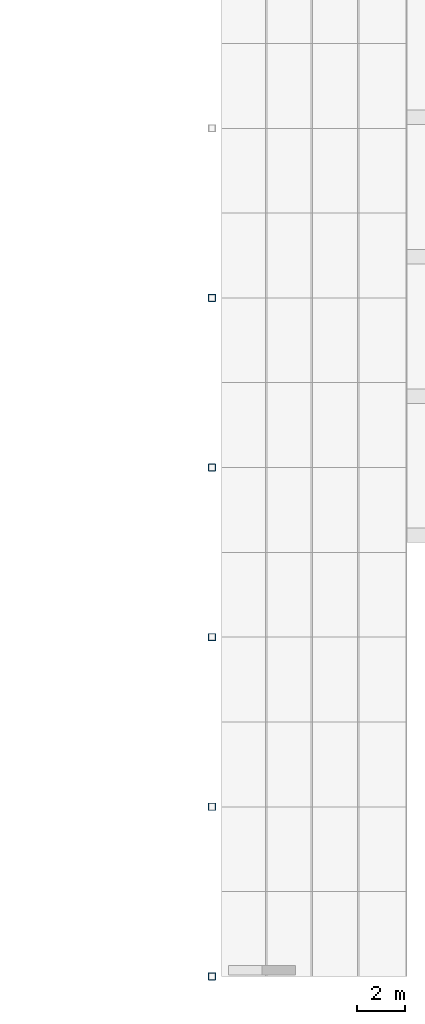
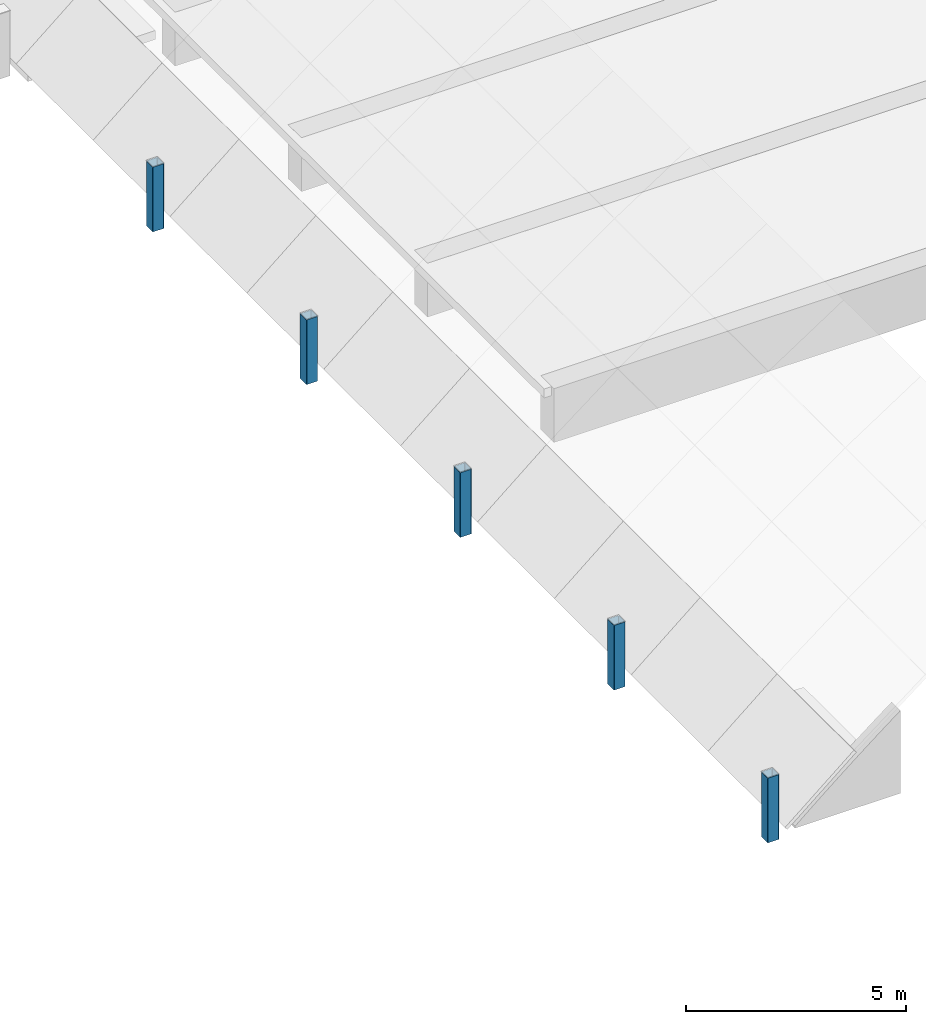
# One storey, part 5 of 89: 5 columns.
"""IFC4 building model written with IfcOpenShell, lengths in metres."""

from ifc_helpers import new_model, si_unit, direction, frame, origin, origin_2d, place, context, subcontext, project, spatial, hollow_rectangle, extrude, material, material_profile, profile_set, type_object, element, save


model = new_model("IFC4")

# Units and contexts
model_context = context("Model", 3, precision=1e-05, world=origin(), true_north=direction((0.0, 1.0)))
body_context = subcontext(model_context, "Body", "Model", "MODEL_VIEW")
ifc_project = project(units=[si_unit("LENGTHUNIT", "METRE"), si_unit("AREAUNIT", "SQUARE_METRE"), si_unit("VOLUMEUNIT", "CUBIC_METRE"), si_unit("PLANEANGLEUNIT", "RADIAN"), si_unit("MASSUNIT", "GRAM", prefix="KILO")], contexts=[model_context])

# Site, building, storey
site_placement = place(None, origin())
site = spatial("IfcSite", under=ifc_project, at=site_placement, CompositionType="ELEMENT")
building_placement = place(site_placement, origin())
building = spatial("IfcBuilding", under=site, at=building_placement, Name="Lantern Court Media Centre", CompositionType="ELEMENT")
storey_placement = place(building_placement, frame((0.0, 0.0, 14.39990234375)))
storey = spatial("IfcBuildingStorey", under=building, at=storey_placement, Name="L03", CompositionType="ELEMENT", Elevation=14.39990234375)

# Columns
ifc_material = material(Name="Steel S355J2 (EN 10025-2)", Category="steel")
ifc_material_profile = material_profile(ifc_material, hollow_rectangle(XDim=0.300048828125, YDim=0.300048828125, WallThickness=0.012451171875, InnerFilletRadius=0.012451171875, OuterFilletRadius=0.018798828125, at=origin_2d()), Name="Studio Hall buttress pinnacle SHS 300x12.5")
ifc_profile_set = profile_set([ifc_material_profile], Name="Steel S355J2 (EN 10025-2)")
column_type = type_object("IfcColumnType", Name="Studio Hall buttress pinnacle SHS 300x12.5", PredefinedType="COLUMN", material=ifc_profile_set)
for number, where, z_axis, x_axis, name in (
    (1, (71.5498046875, -2.0, 0.0), (0.0, 0.0, 1.0), (1.0, 0.0, 0.0), "Studio Hall pinnacle west 1"),
    (2, (71.5498046875, 5.0, 0.0), (0.0, 0.0, 1.0), (1.0, 0.0, 0.0), "Studio Hall pinnacle west 2"),
    (3, (71.5498046875, 12.0, 0.0), (0.0, 0.0, 1.0), (1.0, 0.0, 0.0), "Studio Hall pinnacle west 3"),
    (4, (71.5498046875, 19.0, 0.0), (0.0, 0.0, 1.0), (1.0, 0.0, 0.0), "Studio Hall pinnacle west 4"),
    (5, (71.5498046875, 26.0, 0.0), (0.0, 0.0, 1.0), (1.0, 0.0, 0.0), "Studio Hall pinnacle west 5"),
):
    element("IfcColumn", number, at=place(storey_placement, frame(where, z_axis=z_axis, x_axis=x_axis)), inside=storey, type_object=column_type, Name=name, PredefinedType="COLUMN", context=body_context, shape_type="SweptSolid", body=[
        extrude(hollow_rectangle(XDim=0.300048828125, YDim=0.300048828125, WallThickness=0.012451171875, InnerFilletRadius=0.012451171875, OuterFilletRadius=0.018798828125, at=origin_2d()), origin(), (0.0, 0.0, 1.0), 1.800048828125),
    ])

save(model, "model.ifc")
